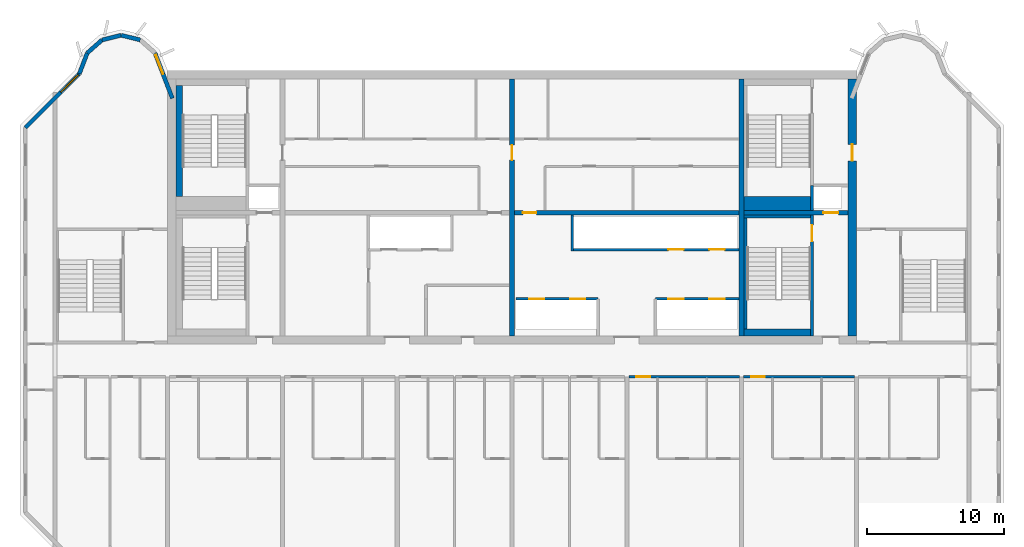
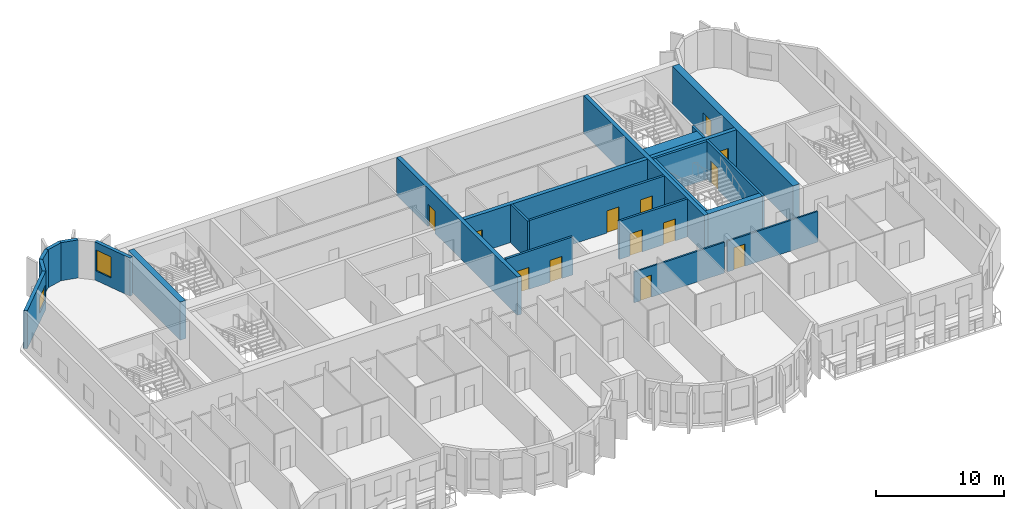
# One storey, part 6 of 11: 24 walls, 13 doors, 2 windows, 15 openings.
"""IFC4 building model written with IfcOpenShell, lengths in metres."""

from ifc_helpers import new_model, si_unit, direction, frame, frame_2d, origin, place, context, subcontext, project, spatial, rectangle, extrude, source, transform, mapped, material, layer, layer_set, type_object, element, fill, save


model = new_model("IFC4")

# Units and contexts
model_context = context("Model", 3, precision=1e-05, world=origin(), true_north=direction((0.0, 1.0)))
body_context = subcontext(model_context, "Body", "Model", "MODEL_VIEW")
ifc_project = project(units=[si_unit("LENGTHUNIT", "METRE"), si_unit("AREAUNIT", "SQUARE_METRE"), si_unit("VOLUMEUNIT", "CUBIC_METRE"), si_unit("PLANEANGLEUNIT", "RADIAN"), si_unit("MASSUNIT", "GRAM", prefix="KILO")], contexts=[model_context])

# Site, building, storey
site_placement = place(None, origin())
site = spatial("IfcSite", under=ifc_project, at=site_placement, CompositionType="ELEMENT")
building_placement = place(site_placement, origin())
building = spatial("IfcBuilding", under=site, at=building_placement, Name="Vanashikhar Sky Hotel", CompositionType="ELEMENT")
storey_placement = place(building_placement, frame((0.0, 0.0, 256.89990234375)))
storey = spatial("IfcBuildingStorey", under=building, at=storey_placement, Name="L62", CompositionType="ELEMENT", Elevation=256.89990234375)

# Wall, opening, door
ifc_material_1 = material(Name="Concrete M60", Category="concrete")
ifc_layer_1 = layer(ifc_material_1, 0.60009765625)
ifc_layer_set_1 = layer_set([ifc_layer_1], Name="RC core shell wall 600 Concrete M60")
wall_type_1 = type_object("IfcWallType", Name="RC core shell wall 600 Concrete M60", PredefinedType="SHEAR", material=ifc_layer_set_1)
shared_shape_1 = source(origin(), body_context, "Body", "SweptSolid", [
    extrude(rectangle(XDim=18.7998046875, YDim=0.60009765625, at=frame_2d((9.39990234375, 0.0))), origin(), (0.0, 0.0, 1.0), 3.6201171875),
])
wall_1_placement = place(storey_placement, frame((75.300048828125, 22.60009765625, 0.0), z_axis=(0.0, 0.0, 1.0), x_axis=(0.0, 1.0, 0.0)))
wall_1 = element("IfcWall", 1, at=wall_1_placement, inside=storey, type_object=wall_type_1, Name="KW-L62-KE", PredefinedType="SHEAR", context=body_context, shape_type="MappedRepresentation", body=[
    mapped(shared_shape_1, transform((0.0, 0.0, 0.0), scale=1.0)),
])
shared_shape_2 = source(origin(), body_context, "Body", "SweptSolid", [
    extrude(rectangle(XDim=1.199951171875, YDim=2.10009765625, at=frame_2d((0.60009765625, 1.050048828125))), frame((0.0, 0.31005859375, 0.0), z_axis=(0.0, -1.0, 0.0), x_axis=(1.0, 0.0, 0.0)), (0.0, 0.0, 1.0), 0.6201171875),
])
opening_1_placement = place(wall_1_placement, frame((12.800048828125, 0.0, 0.0)))
opening_1 = element("IfcOpeningElement", 2, at=opening_1_placement, cuts=wall_1, Name="Opening DC-4-D", PredefinedType="OPENING", context=body_context, shape_type="MappedRepresentation", body=[
    mapped(shared_shape_2, transform((0.0, 0.0, 0.0), scale=1.0)),
])
ifc_material_2 = material(Name="Steel", Category="steel")
door_type_1 = type_object("IfcDoorType", Name="Service door 1200 FD120", OperationType="NOTDEFINED", PredefinedType="DOOR", material=ifc_material_2)
shared_shape_3 = source(origin(), body_context, "Body", "SweptSolid", [
    extrude(rectangle(XDim=1.199951171875, YDim=2.10009765625, at=frame_2d((0.60009765625, 1.050048828125))), frame((0.0, 0.02490234375, 0.0), z_axis=(0.0, -1.0, 0.0), x_axis=(1.0, 0.0, 0.0)), (0.0, 0.0, 1.0), 0.050048828125),
])
door_1_placement = place(opening_1_placement, origin())
door_1 = element("IfcDoor", 3, at=door_1_placement, inside=storey, type_object=door_type_1, Name="Service door 1200 FD120", OperationType="SINGLE_SWING_LEFT", OverallHeight=2.10009765625, OverallWidth=1.199951171875, PredefinedType="DOOR", context=body_context, shape_type="MappedRepresentation", body=[
    mapped(shared_shape_3, transform((0.0, 0.0, 0.0), scale=1.0)),
])
fill(opening_1, door_1)

ifc_layer_2 = layer(ifc_material_1, 0.35009765625)
ifc_layer_set_2 = layer_set([ifc_layer_2], Name="RC core inner wall 350 Concrete M60")
wall_type_2 = type_object("IfcWallType", Name="RC core inner wall 350 Concrete M60", PredefinedType="SHEAR", material=ifc_layer_set_2)
shared_shape_4 = source(origin(), body_context, "Body", "SweptSolid", [
    extrude(rectangle(XDim=18.7998046875, YDim=0.35009765625, at=frame_2d((9.39990234375, 0.0))), origin(), (0.0, 0.0, 1.0), 3.6201171875),
])
wall_2_placement = place(storey_placement, frame((50.39990234375, 22.60009765625, 0.0), z_axis=(0.0, 0.0, 1.0), x_axis=(0.0, 1.0, 0.0)))
wall_2 = element("IfcWall", 4, at=wall_2_placement, inside=storey, type_object=wall_type_2, Name="KW-L62-KX2", PredefinedType="SHEAR", context=body_context, shape_type="MappedRepresentation", body=[
    mapped(shared_shape_4, transform((0.0, 0.0, 0.0), scale=1.0)),
])
shared_shape_5 = source(origin(), body_context, "Body", "SweptSolid", [
    extrude(rectangle(XDim=1.10009765625, YDim=2.10009765625, at=frame_2d((0.550048828125, 1.050048828125))), frame((0.0, 0.18505859375, 0.0), z_axis=(0.0, -1.0, 0.0), x_axis=(1.0, 0.0, 0.0)), (0.0, 0.0, 1.0), 0.3701171875),
])
opening_2_placement = place(wall_2_placement, frame((12.85009765625, 0.0, 0.0)))
opening_2 = element("IfcOpeningElement", 5, at=opening_2_placement, cuts=wall_2, Name="Opening DC-4-C", PredefinedType="OPENING", context=body_context, shape_type="MappedRepresentation", body=[
    mapped(shared_shape_5, transform((0.0, 0.0, 0.0), scale=1.0)),
])
door_type_2 = type_object("IfcDoorType", Name="Service door 1100 FD60", OperationType="NOTDEFINED", PredefinedType="DOOR", material=ifc_material_2)
shared_shape_6 = source(origin(), body_context, "Body", "SweptSolid", [
    extrude(rectangle(XDim=1.10009765625, YDim=2.10009765625, at=frame_2d((0.550048828125, 1.050048828125))), frame((0.0, 0.02490234375, 0.0), z_axis=(0.0, -1.0, 0.0), x_axis=(1.0, 0.0, 0.0)), (0.0, 0.0, 1.0), 0.050048828125),
])
door_2_placement = place(opening_2_placement, origin())
door_2 = element("IfcDoor", 6, at=door_2_placement, inside=storey, type_object=door_type_2, Name="Service door 1100 FD60", OperationType="SINGLE_SWING_RIGHT", OverallHeight=2.10009765625, OverallWidth=1.10009765625, PredefinedType="DOOR", context=body_context, shape_type="MappedRepresentation", body=[
    mapped(shared_shape_6, transform((0.0, 0.0, 0.0), scale=1.0)),
])
fill(opening_2, door_2)

# Wall
wall_3_placement = place(storey_placement, frame((67.199951171875, 22.60009765625, 0.0), z_axis=(0.0, 0.0, 1.0), x_axis=(0.0, 1.0, 0.0)))
element("IfcWall", 7, at=wall_3_placement, inside=storey, type_object=wall_type_2, Name="KW-L62-KX3", PredefinedType="SHEAR", context=body_context, shape_type="MappedRepresentation", body=[
    mapped(shared_shape_4, transform((0.0, 0.0, 0.0), scale=1.0)),
])

# Wall, opening, door
shared_shape_7 = source(origin(), body_context, "Body", "SweptSolid", [
    extrude(rectangle(XDim=7.625, YDim=0.35009765625, at=frame_2d((3.8125, 0.0))), origin(), (0.0, 0.0, 1.0), 3.6201171875),
])
wall_4_placement = place(storey_placement, frame((67.375, 31.60009765625, 0.0), z_axis=(0.0, 0.0, 1.0), x_axis=(1.0, 0.0, 0.0)))
wall_4 = element("IfcWall", 8, at=wall_4_placement, inside=storey, type_object=wall_type_2, Name="KW-L62-KY4", PredefinedType="SHEAR", context=body_context, shape_type="MappedRepresentation", body=[
    mapped(shared_shape_7, transform((0.0, 0.0, 0.0), scale=1.0)),
])
opening_3_placement = place(wall_4_placement, frame((5.800048828125, 0.0, 0.0)))
opening_3 = element("IfcOpeningElement", 9, at=opening_3_placement, cuts=wall_4, Name="Opening LD", PredefinedType="OPENING", context=body_context, shape_type="MappedRepresentation", body=[
    mapped(shared_shape_5, transform((0.0, 0.0, 0.0), scale=1.0)),
])
ifc_material_3 = material(Name="Stainless steel", Category="steel")
door_type_3 = type_object("IfcDoorType", Name="Lift landing door 1100", OperationType="NOTDEFINED", PredefinedType="DOOR", material=ifc_material_3)
door_3_placement = place(opening_3_placement, origin())
door_3 = element("IfcDoor", 10, at=door_3_placement, inside=storey, type_object=door_type_3, Name="Lift landing door 1100", OperationType="SLIDING_TO_RIGHT", OverallHeight=2.10009765625, OverallWidth=1.10009765625, PredefinedType="DOOR", context=body_context, shape_type="MappedRepresentation", body=[
    mapped(shared_shape_6, transform((0.0, 0.0, 0.0), scale=1.0)),
])
fill(opening_3, door_3)

shared_shape_8 = source(origin(), body_context, "Body", "SweptSolid", [
    extrude(rectangle(XDim=16.449951171875, YDim=0.35009765625, at=frame_2d((8.22509765625, 0.0))), origin(), (0.0, 0.0, 1.0), 3.6201171875),
])
wall_5_placement = place(storey_placement, frame((50.574951171875, 31.60009765625, 0.0), z_axis=(0.0, 0.0, 1.0), x_axis=(1.0, 0.0, 0.0)))
wall_5 = element("IfcWall", 11, at=wall_5_placement, inside=storey, type_object=wall_type_2, Name="KW-L62-KY3", PredefinedType="SHEAR", context=body_context, shape_type="MappedRepresentation", body=[
    mapped(shared_shape_8, transform((0.0, 0.0, 0.0), scale=1.0)),
])
shared_shape_9 = source(origin(), body_context, "Body", "SweptSolid", [
    extrude(rectangle(XDim=1.0, YDim=2.10009765625, at=frame_2d((0.5, 1.050048828125))), frame((0.0, 0.18505859375, 0.0), z_axis=(0.0, -1.0, 0.0), x_axis=(1.0, 0.0, 0.0)), (0.0, 0.0, 1.0), 0.3701171875),
])
opening_4_placement = place(wall_5_placement, frame((0.613037109375, 0.0, 0.0)))
opening_4 = element("IfcOpeningElement", 12, at=opening_4_placement, cuts=wall_5, Name="Opening DC-4", PredefinedType="OPENING", context=body_context, shape_type="MappedRepresentation", body=[
    mapped(shared_shape_9, transform((0.0, 0.0, 0.0), scale=1.0)),
])
door_type_4 = type_object("IfcDoorType", Name="Service door 1000 FD60", OperationType="NOTDEFINED", PredefinedType="DOOR", material=ifc_material_2)
shared_shape_10 = source(origin(), body_context, "Body", "SweptSolid", [
    extrude(rectangle(XDim=1.0, YDim=2.10009765625, at=frame_2d((0.5, 1.050048828125))), frame((0.0, 0.02490234375, 0.0), z_axis=(0.0, -1.0, 0.0), x_axis=(1.0, 0.0, 0.0)), (0.0, 0.0, 1.0), 0.050048828125),
])
door_4_placement = place(opening_4_placement, origin())
door_4 = element("IfcDoor", 13, at=door_4_placement, inside=storey, type_object=door_type_4, Name="Service door 1000 FD60", OperationType="SINGLE_SWING_RIGHT", OverallHeight=2.10009765625, OverallWidth=1.0, PredefinedType="DOOR", context=body_context, shape_type="MappedRepresentation", body=[
    mapped(shared_shape_10, transform((0.0, 0.0, 0.0), scale=1.0)),
])
fill(opening_4, door_4)

# Wall, opening, window
ifc_material_4 = material(Name="Concrete M50", Category="concrete")
ifc_layer_3 = layer(ifc_material_4, 0.300048828125)
ifc_layer_set_3 = layer_set([ifc_layer_3], Name="Lobe wall 300")
wall_type_3 = type_object("IfcWallType", Name="Lobe wall 300", PredefinedType="SOLIDWALL", material=ifc_layer_set_3)
shared_shape_11 = source(origin(), body_context, "Body", "SweptSolid", [
    extrude(rectangle(XDim=5.576416015625, YDim=0.300048828125, at=frame_2d((2.7880859375, 0.0))), origin(), (0.0, 0.0, 1.0), 3.6201171875),
])
wall_6_placement = place(storey_placement, frame((18.7431640625, 41.77734375, 0.0), z_axis=(0.0, 0.0, 1.0), x_axis=(-0.707106781187, -0.707106781187, 0.0)))
wall_6 = element("IfcWall", 14, at=wall_6_placement, inside=storey, type_object=wall_type_3, Name="Corner wall", PredefinedType="SOLIDWALL", context=body_context, shape_type="MappedRepresentation", body=[
    mapped(shared_shape_11, transform((0.0, 0.0, 0.0), scale=1.0)),
])
shared_shape_12 = source(origin(), body_context, "Body", "SweptSolid", [
    extrude(rectangle(XDim=1.800048828125, YDim=1.5, at=frame_2d((0.89990234375, 0.75))), frame((0.0, 0.16015625, 0.0), z_axis=(0.0, -1.0, 0.0), x_axis=(1.0, 0.0, 0.0)), (0.0, 0.0, 1.0), 0.320068359375),
])
opening_5_placement = place(wall_6_placement, frame((0.117919921875, 0.0, 0.89990234375)))
opening_5 = element("IfcOpeningElement", 15, at=opening_5_placement, cuts=wall_6, Name="Opening WN-4", PredefinedType="OPENING", context=body_context, shape_type="MappedRepresentation", body=[
    mapped(shared_shape_12, transform((0.0, 0.0, 0.0), scale=1.0)),
])
ifc_material_5 = material(Name="Glass", Category="glass")
window_type_1 = type_object("IfcWindowType", Name="Corner window 1800 x 1500", PartitioningType="SINGLE_PANEL", PredefinedType="WINDOW", material=ifc_material_5)
shared_shape_13 = source(origin(), body_context, "Body", "SweptSolid", [
    extrude(rectangle(XDim=1.800048828125, YDim=1.5, at=frame_2d((0.89990234375, 0.75))), frame((0.0, 0.030029296875, 0.0), z_axis=(0.0, -1.0, 0.0), x_axis=(1.0, 0.0, 0.0)), (0.0, 0.0, 1.0), 0.06005859375),
])
window_1_placement = place(opening_5_placement, origin())
window_1 = element("IfcWindow", 16, at=window_1_placement, inside=storey, type_object=window_type_1, Name="Window WN-4", OverallHeight=1.5, OverallWidth=1.800048828125, PartitioningType="SINGLE_PANEL", PredefinedType="WINDOW", context=body_context, shape_type="MappedRepresentation", body=[
    mapped(shared_shape_13, transform((0.0, 0.0, 0.0), scale=1.0)),
])
fill(opening_5, window_1)

# Walls
shared_shape_14 = source(origin(), body_context, "Body", "SweptSolid", [
    extrude(rectangle(XDim=1.6220703125, YDim=0.300048828125, at=frame_2d((0.81103515625, 0.0))), origin(), (0.0, 0.0, 1.0), 3.6201171875),
])
wall_7_placement = place(storey_placement, frame((19.323486328125, 43.2919921875, 0.0), z_axis=(0.0, 0.0, 1.0), x_axis=(-0.357778527068, -0.933806471154, 0.0)))
element("IfcWall", 17, at=wall_7_placement, inside=storey, type_object=wall_type_3, Name="Lobe wall", PredefinedType="SOLIDWALL", context=body_context, shape_type="MappedRepresentation", body=[
    mapped(shared_shape_14, transform((0.0, 0.0, 0.0), scale=1.0)),
])
shared_shape_15 = source(origin(), body_context, "Body", "SweptSolid", [
    extrude(rectangle(XDim=1.43994140625, YDim=0.300048828125, at=frame_2d((0.719970703125, 0.0))), origin(), (0.0, 0.0, 1.0), 3.6201171875),
])
wall_8_placement = place(storey_placement, frame((20.40283203125, 44.2451171875, 0.0), z_axis=(0.0, 0.0, 1.0), x_axis=(-0.74957555648, -0.661918790432, 0.0)))
element("IfcWall", 18, at=wall_8_placement, inside=storey, type_object=wall_type_3, Name="Lobe wall", PredefinedType="SOLIDWALL", context=body_context, shape_type="MappedRepresentation", body=[
    mapped(shared_shape_15, transform((0.0, 0.0, 0.0), scale=1.0)),
])
shared_shape_16 = source(origin(), body_context, "Body", "SweptSolid", [
    extrude(rectangle(XDim=1.438720703125, YDim=0.300048828125, at=frame_2d((0.71923828125, 0.0))), origin(), (0.0, 0.0, 1.0), 3.6201171875),
])
wall_9_placement = place(storey_placement, frame((21.800048828125, 44.588134765625, 0.0), z_axis=(0.0, 0.0, 1.0), x_axis=(-0.971161932466, -0.238420848351, 0.0)))
element("IfcWall", 19, at=wall_9_placement, inside=storey, type_object=wall_type_3, Name="Lobe wall", PredefinedType="SOLIDWALL", context=body_context, shape_type="MappedRepresentation", body=[
    mapped(shared_shape_16, transform((0.0, 0.0, 0.0), scale=1.0)),
])

# Wall, opening, window
shared_shape_17 = source(origin(), body_context, "Body", "SweptSolid", [
    extrude(rectangle(XDim=3.55908203125, YDim=0.300048828125, at=frame_2d((1.779541015625, 0.0))), origin(), (0.0, 0.0, 1.0), 3.6201171875),
])
wall_10_placement = place(storey_placement, frame((25.550048828125, 39.968505859375, 0.0), z_axis=(0.0, 0.0, 1.0), x_axis=(-0.35779745313, 0.933799219604, 0.0)))
wall_10 = element("IfcWall", 20, at=wall_10_placement, inside=storey, type_object=wall_type_3, Name="Lobe wall", PredefinedType="SOLIDWALL", context=body_context, shape_type="MappedRepresentation", body=[
    mapped(shared_shape_17, transform((0.0, 0.0, 0.0), scale=1.0)),
])
shared_shape_18 = source(origin(), body_context, "Body", "SweptSolid", [
    extrude(rectangle(XDim=1.5, YDim=2.0, at=frame_2d((0.75, 1.0))), frame((0.0, 0.16015625, 0.0), z_axis=(0.0, -1.0, 0.0), x_axis=(1.0, 0.0, 0.0)), (0.0, 0.0, 1.0), 0.320068359375),
])
opening_6_placement = place(wall_10_placement, frame((1.9033203125, 0.0, 0.89990234375)))
opening_6 = element("IfcOpeningElement", 21, at=opening_6_placement, cuts=wall_10, Name="Opening WN-2", PredefinedType="OPENING", context=body_context, shape_type="MappedRepresentation", body=[
    mapped(shared_shape_18, transform((0.0, 0.0, 0.0), scale=1.0)),
])
window_type_2 = type_object("IfcWindowType", Name="Lobe window 1500 x 2000", PartitioningType="SINGLE_PANEL", PredefinedType="WINDOW", material=ifc_material_5)
shared_shape_19 = source(origin(), body_context, "Body", "SweptSolid", [
    extrude(rectangle(XDim=1.5, YDim=2.0, at=frame_2d((0.75, 1.0))), frame((0.0, 0.030029296875, 0.0), z_axis=(0.0, -1.0, 0.0), x_axis=(1.0, 0.0, 0.0)), (0.0, 0.0, 1.0), 0.06005859375),
])
window_2_placement = place(opening_6_placement, origin())
window_2 = element("IfcWindow", 22, at=window_2_placement, inside=storey, type_object=window_type_2, Name="Window WN-2", OverallHeight=2.0, OverallWidth=1.5, PartitioningType="SINGLE_PANEL", PredefinedType="WINDOW", context=body_context, shape_type="MappedRepresentation", body=[
    mapped(shared_shape_19, transform((0.0, 0.0, 0.0), scale=1.0)),
])
fill(opening_6, window_2)

# Wall
shared_shape_20 = source(origin(), body_context, "Body", "SweptSolid", [
    extrude(rectangle(XDim=1.4384765625, YDim=0.300048828125, at=frame_2d((0.71923828125, 0.0))), origin(), (0.0, 0.0, 1.0), 3.6201171875),
])
wall_11_placement = place(storey_placement, frame((23.197021484375, 44.2451171875, 0.0), z_axis=(0.0, 0.0, 1.0), x_axis=(-0.971152283879, 0.238460146601, 0.0)))
element("IfcWall", 23, at=wall_11_placement, inside=storey, type_object=wall_type_3, Name="Lobe wall", PredefinedType="SOLIDWALL", context=body_context, shape_type="MappedRepresentation", body=[
    mapped(shared_shape_20, transform((0.0, 0.0, 0.0), scale=1.0)),
])

# Wall, openings, doors
ifc_material_6 = material(Name="Concrete M40", Category="concrete")
ifc_layer_4 = layer(ifc_material_6, 0.199951171875)
ifc_layer_set_4 = layer_set([ifc_layer_4], Name="Shaft wall 200")
wall_type_4 = type_object("IfcWallType", Name="Shaft wall 200", PredefinedType="SOLIDWALL", material=ifc_layer_set_4)
shared_shape_21 = source(origin(), body_context, "Body", "SweptSolid", [
    extrude(rectangle(XDim=6.0, YDim=0.199951171875, at=frame_2d((3.0, 0.0))), origin(), (0.0, 0.0, 1.0), 3.6201171875),
])
wall_12_placement = place(storey_placement, frame((56.699951171875, 25.300048828125, 0.0), z_axis=(0.0, 0.0, 1.0), x_axis=(-1.0, 0.0, 0.0)))
wall_12 = element("IfcWall", 24, at=wall_12_placement, inside=storey, type_object=wall_type_4, Name="Shaft wall 200", PredefinedType="SOLIDWALL", context=body_context, shape_type="MappedRepresentation", body=[
    mapped(shared_shape_21, transform((0.0, 0.0, 0.0), scale=1.0)),
])
shared_shape_22 = source(origin(), body_context, "Body", "SweptSolid", [
    extrude(rectangle(XDim=1.10009765625, YDim=2.10009765625, at=frame_2d((0.550048828125, 1.050048828125))), frame((0.0, 0.10986328125, 0.0), z_axis=(0.0, -1.0, 0.0), x_axis=(1.0, 0.0, 0.0)), (0.0, 0.0, 1.0), 0.219970703125),
])
opening_7_placement = place(wall_12_placement, frame((0.949951171875, 0.0, 0.0)))
opening_7 = element("IfcOpeningElement", 25, at=opening_7_placement, cuts=wall_12, Name="Opening LD", PredefinedType="OPENING", context=body_context, shape_type="MappedRepresentation", body=[
    mapped(shared_shape_22, transform((0.0, 0.0, 0.0), scale=1.0)),
])
opening_8_placement = place(wall_12_placement, frame((3.949951171875, 0.0, 0.0)))
opening_8 = element("IfcOpeningElement", 26, at=opening_8_placement, cuts=wall_12, Name="Opening LD", PredefinedType="OPENING", context=body_context, shape_type="MappedRepresentation", body=[
    mapped(shared_shape_22, transform((0.0, 0.0, 0.0), scale=1.0)),
])
door_5_placement = place(opening_7_placement, origin())
door_5 = element("IfcDoor", 27, at=door_5_placement, inside=storey, type_object=door_type_3, Name="Lift landing door 1100", OperationType="SLIDING_TO_RIGHT", OverallHeight=2.10009765625, OverallWidth=1.10009765625, PredefinedType="DOOR", context=body_context, shape_type="MappedRepresentation", body=[
    mapped(shared_shape_6, transform((0.0, 0.0, 0.0), scale=1.0)),
])
fill(opening_7, door_5)
door_6_placement = place(opening_8_placement, origin())
door_6 = element("IfcDoor", 28, at=door_6_placement, inside=storey, type_object=door_type_3, Name="Lift landing door 1100", OperationType="SLIDING_TO_LEFT", OverallHeight=2.10009765625, OverallWidth=1.10009765625, PredefinedType="DOOR", context=body_context, shape_type="MappedRepresentation", body=[
    mapped(shared_shape_6, transform((0.0, 0.0, 0.0), scale=1.0)),
])
fill(opening_8, door_6)

# Wall
shared_shape_23 = source(origin(), body_context, "Body", "SweptSolid", [
    extrude(rectangle(XDim=2.625, YDim=0.199951171875, at=frame_2d((1.3125, 0.0))), origin(), (0.0, 0.0, 1.0), 3.6201171875),
])
wall_13_placement = place(storey_placement, frame((54.800048828125, 28.800048828125, 0.0), z_axis=(0.0, 0.0, 1.0), x_axis=(0.0, 1.0, 0.0)))
element("IfcWall", 29, at=wall_13_placement, inside=storey, type_object=wall_type_4, Name="Shaft wall 200", PredefinedType="SOLIDWALL", context=body_context, shape_type="MappedRepresentation", body=[
    mapped(shared_shape_23, transform((0.0, 0.0, 0.0), scale=1.0)),
])

# Wall, openings, doors
shared_shape_24 = source(origin(), body_context, "Body", "SweptSolid", [
    extrude(rectangle(XDim=6.125, YDim=0.199951171875, at=frame_2d((3.0625, 0.0))), origin(), (0.0, 0.0, 1.0), 3.6201171875),
])
wall_14_placement = place(storey_placement, frame((67.02490234375, 25.300048828125, 0.0), z_axis=(0.0, 0.0, 1.0), x_axis=(-1.0, 0.0, 0.0)))
wall_14 = element("IfcWall", 30, at=wall_14_placement, inside=storey, type_object=wall_type_4, Name="Shaft wall 200", PredefinedType="SOLIDWALL", context=body_context, shape_type="MappedRepresentation", body=[
    mapped(shared_shape_24, transform((0.0, 0.0, 0.0), scale=1.0)),
])
opening_9_placement = place(wall_14_placement, frame((1.074951171875, 0.0, 0.0)))
opening_9 = element("IfcOpeningElement", 31, at=opening_9_placement, cuts=wall_14, Name="Opening LD", PredefinedType="OPENING", context=body_context, shape_type="MappedRepresentation", body=[
    mapped(shared_shape_22, transform((0.0, 0.0, 0.0), scale=1.0)),
])
opening_10_placement = place(wall_14_placement, frame((4.074951171875, 0.0, 0.0)))
opening_10 = element("IfcOpeningElement", 32, at=opening_10_placement, cuts=wall_14, Name="Opening LD", PredefinedType="OPENING", context=body_context, shape_type="MappedRepresentation", body=[
    mapped(shared_shape_22, transform((0.0, 0.0, 0.0), scale=1.0)),
])
door_7_placement = place(opening_9_placement, origin())
door_7 = element("IfcDoor", 33, at=door_7_placement, inside=storey, type_object=door_type_3, Name="Lift landing door 1100", OperationType="SLIDING_TO_RIGHT", OverallHeight=2.10009765625, OverallWidth=1.10009765625, PredefinedType="DOOR", context=body_context, shape_type="MappedRepresentation", body=[
    mapped(shared_shape_6, transform((0.0, 0.0, 0.0), scale=1.0)),
])
fill(opening_9, door_7)
door_8_placement = place(opening_10_placement, origin())
door_8 = element("IfcDoor", 34, at=door_8_placement, inside=storey, type_object=door_type_3, Name="Lift landing door 1100", OperationType="SLIDING_TO_LEFT", OverallHeight=2.10009765625, OverallWidth=1.10009765625, PredefinedType="DOOR", context=body_context, shape_type="MappedRepresentation", body=[
    mapped(shared_shape_6, transform((0.0, 0.0, 0.0), scale=1.0)),
])
fill(opening_10, door_8)

shared_shape_25 = source(origin(), body_context, "Body", "SweptSolid", [
    extrude(rectangle(XDim=12.125, YDim=0.199951171875, at=frame_2d((6.0625, 0.0))), origin(), (0.0, 0.0, 1.0), 3.6201171875),
])
wall_15_placement = place(storey_placement, frame((67.02490234375, 28.89990234375, 0.0), z_axis=(0.0, 0.0, 1.0), x_axis=(-1.0, 0.0, 0.0)))
wall_15 = element("IfcWall", 35, at=wall_15_placement, inside=storey, type_object=wall_type_4, Name="Shaft wall 200", PredefinedType="SOLIDWALL", context=body_context, shape_type="MappedRepresentation", body=[
    mapped(shared_shape_25, transform((0.0, 0.0, 0.0), scale=1.0)),
])
opening_11_placement = place(wall_15_placement, frame((1.074951171875, 0.0, 0.0)))
opening_11 = element("IfcOpeningElement", 36, at=opening_11_placement, cuts=wall_15, Name="Opening LD", PredefinedType="OPENING", context=body_context, shape_type="MappedRepresentation", body=[
    mapped(shared_shape_22, transform((0.0, 0.0, 0.0), scale=1.0)),
])
opening_12_placement = place(wall_15_placement, frame((4.074951171875, 0.0, 0.0)))
opening_12 = element("IfcOpeningElement", 37, at=opening_12_placement, cuts=wall_15, Name="Opening LD", PredefinedType="OPENING", context=body_context, shape_type="MappedRepresentation", body=[
    mapped(shared_shape_22, transform((0.0, 0.0, 0.0), scale=1.0)),
])
door_9_placement = place(opening_11_placement, origin())
door_9 = element("IfcDoor", 38, at=door_9_placement, inside=storey, type_object=door_type_3, Name="Lift landing door 1100", OperationType="SLIDING_TO_RIGHT", OverallHeight=2.10009765625, OverallWidth=1.10009765625, PredefinedType="DOOR", context=body_context, shape_type="MappedRepresentation", body=[
    mapped(shared_shape_6, transform((0.0, 0.0, 0.0), scale=1.0)),
])
fill(opening_11, door_9)
door_10_placement = place(opening_12_placement, origin())
door_10 = element("IfcDoor", 39, at=door_10_placement, inside=storey, type_object=door_type_3, Name="Lift landing door 1100", OperationType="SLIDING_TO_LEFT", OverallHeight=2.10009765625, OverallWidth=1.10009765625, PredefinedType="DOOR", context=body_context, shape_type="MappedRepresentation", body=[
    mapped(shared_shape_6, transform((0.0, 0.0, 0.0), scale=1.0)),
])
fill(opening_12, door_10)

# Wall, opening, door
ifc_layer_5 = layer(ifc_material_4, 0.199951171875)
ifc_layer_set_5 = layer_set([ifc_layer_5], Name="Stair wall 200")
wall_type_5 = type_object("IfcWallType", Name="Stair wall 200", PredefinedType="SOLIDWALL", material=ifc_layer_set_5)
shared_shape_26 = source(origin(), body_context, "Body", "SweptSolid", [
    extrude(rectangle(XDim=8.824951171875, YDim=0.199951171875, at=frame_2d((4.41259765625, 0.0))), origin(), (0.0, 0.0, 1.0), 3.6201171875),
])
wall_16_placement = place(storey_placement, frame((72.35009765625, 22.60009765625, 0.0), z_axis=(0.0, 0.0, 1.0), x_axis=(0.0, 1.0, 0.0)))
wall_16 = element("IfcWall", 40, at=wall_16_placement, inside=storey, type_object=wall_type_5, Name="Stair wall 200", PredefinedType="SOLIDWALL", context=body_context, shape_type="MappedRepresentation", body=[
    mapped(shared_shape_26, transform((0.0, 0.0, 0.0), scale=1.0)),
])
shared_shape_27 = source(origin(), body_context, "Body", "SweptSolid", [
    extrude(rectangle(XDim=1.199951171875, YDim=2.10009765625, at=frame_2d((0.60009765625, 1.050048828125))), frame((0.0, 0.10986328125, 0.0), z_axis=(0.0, -1.0, 0.0), x_axis=(1.0, 0.0, 0.0)), (0.0, 0.0, 1.0), 0.219970703125),
])
opening_13_placement = place(wall_16_placement, frame((6.89990234375, 0.0, 0.0)))
opening_13 = element("IfcOpeningElement", 41, at=opening_13_placement, cuts=wall_16, Name="Opening DC-1", PredefinedType="OPENING", context=body_context, shape_type="MappedRepresentation", body=[
    mapped(shared_shape_27, transform((0.0, 0.0, 0.0), scale=1.0)),
])
door_type_5 = type_object("IfcDoorType", Name="Stair door 1200 FD120", OperationType="NOTDEFINED", PredefinedType="DOOR", material=ifc_material_2)
door_11_placement = place(opening_13_placement, origin())
door_11 = element("IfcDoor", 42, at=door_11_placement, inside=storey, type_object=door_type_5, Name="Stair door 1200 FD120", OperationType="SINGLE_SWING_LEFT", OverallHeight=2.10009765625, OverallWidth=1.199951171875, PredefinedType="DOOR", context=body_context, shape_type="MappedRepresentation", body=[
    mapped(shared_shape_3, transform((0.0, 0.0, 0.0), scale=1.0)),
])
fill(opening_13, door_11)

# Walls
shared_shape_28 = source(origin(), body_context, "Body", "SweptSolid", [
    extrude(rectangle(XDim=1.8251953125, YDim=0.199951171875, at=frame_2d((0.91259765625, 0.0))), origin(), (0.0, 0.0, 1.0), 3.6201171875),
])
wall_17_placement = place(storey_placement, frame((72.35009765625, 31.77490234375, 0.0), z_axis=(0.0, 0.0, 1.0), x_axis=(0.0, 1.0, 0.0)))
element("IfcWall", 43, at=wall_17_placement, inside=storey, type_object=wall_type_4, Name="Shaft wall 200", PredefinedType="SOLIDWALL", context=body_context, shape_type="MappedRepresentation", body=[
    mapped(shared_shape_28, transform((0.0, 0.0, 0.0), scale=1.0)),
])
ifc_layer_6 = layer(ifc_material_4, 0.5)
ifc_layer_set_6 = layer_set([ifc_layer_6], Name="Stair infill wall 500")
wall_type_6 = type_object("IfcWallType", Name="Stair infill wall 500", PredefinedType="SOLIDWALL", material=ifc_layer_set_6)
shared_shape_29 = source(origin(), body_context, "Body", "SweptSolid", [
    extrude(rectangle(XDim=8.099853515625, YDim=0.5, at=frame_2d((4.0498046875, 0.0))), origin(), (0.0, 0.0, 1.0), 3.6201171875),
])
wall_18_placement = place(storey_placement, frame((26.050048828125, 32.800048828125, 0.0), z_axis=(0.0, 0.0, 1.0), x_axis=(0.0, 1.0, 0.0)))
element("IfcWall", 44, at=wall_18_placement, inside=storey, type_object=wall_type_6, Name="Stair infill wall 500", PredefinedType="SOLIDWALL", context=body_context, shape_type="MappedRepresentation", body=[
    mapped(shared_shape_29, transform((0.0, 0.0, 0.0), scale=1.0)),
])
shared_shape_30 = source(origin(), body_context, "Body", "SweptSolid", [
    extrude(rectangle(XDim=4.875, YDim=0.5, at=frame_2d((2.4375, 0.0))), origin(), (0.0, 0.0, 1.0), 3.6201171875),
])
wall_19_placement = place(storey_placement, frame((67.375, 22.85009765625, 0.0), z_axis=(0.0, 0.0, 1.0), x_axis=(1.0, 0.0, 0.0)))
element("IfcWall", 45, at=wall_19_placement, inside=storey, type_object=wall_type_6, Name="Stair infill wall 500", PredefinedType="SOLIDWALL", context=body_context, shape_type="MappedRepresentation", body=[
    mapped(shared_shape_30, transform((0.0, 0.0, 0.0), scale=1.0)),
])
ifc_layer_7 = layer(ifc_material_4, 0.22509765625)
ifc_layer_set_7 = layer_set([ifc_layer_7], Name="Stair infill wall 225")
wall_type_7 = type_object("IfcWallType", Name="Stair infill wall 225", PredefinedType="SOLIDWALL", material=ifc_layer_set_7)
shared_shape_31 = source(origin(), body_context, "Body", "SweptSolid", [
    extrude(rectangle(XDim=4.875, YDim=0.22509765625, at=frame_2d((2.4375, 0.0))), origin(), (0.0, 0.0, 1.0), 3.6201171875),
])
wall_20_placement = place(storey_placement, frame((67.375, 31.31201171875, 0.0), z_axis=(0.0, 0.0, 1.0), x_axis=(1.0, 0.0, 0.0)))
element("IfcWall", 46, at=wall_20_placement, inside=storey, type_object=wall_type_7, Name="Stair infill wall 225", PredefinedType="SOLIDWALL", context=body_context, shape_type="MappedRepresentation", body=[
    mapped(shared_shape_31, transform((0.0, 0.0, 0.0), scale=1.0)),
])
shared_shape_32 = source(origin(), body_context, "Body", "SweptSolid", [
    extrude(rectangle(XDim=8.099853515625, YDim=0.22509765625, at=frame_2d((4.0498046875, 0.0))), origin(), (0.0, 0.0, 1.0), 3.6201171875),
])
wall_21_placement = place(storey_placement, frame((67.487060546875, 23.10009765625, 0.0), z_axis=(0.0, 0.0, 1.0), x_axis=(0.0, 1.0, 0.0)))
element("IfcWall", 47, at=wall_21_placement, inside=storey, type_object=wall_type_7, Name="Stair infill wall 225", PredefinedType="SOLIDWALL", context=body_context, shape_type="MappedRepresentation", body=[
    mapped(shared_shape_32, transform((0.0, 0.0, 0.0), scale=1.0)),
])
ifc_layer_8 = layer(ifc_material_4, 1.02490234375)
ifc_layer_set_8 = layer_set([ifc_layer_8], Name="Stair infill wall 1025")
wall_type_8 = type_object("IfcWallType", Name="Stair infill wall 1025", PredefinedType="SOLIDWALL", material=ifc_layer_set_8)
shared_shape_33 = source(origin(), body_context, "Body", "SweptSolid", [
    extrude(rectangle(XDim=4.875, YDim=1.02490234375, at=frame_2d((2.4375, 0.0))), origin(), (0.0, 0.0, 1.0), 3.6201171875),
])
wall_22_placement = place(storey_placement, frame((67.375, 32.287109375, 0.0), z_axis=(0.0, 0.0, 1.0), x_axis=(1.0, 0.0, 0.0)))
element("IfcWall", 48, at=wall_22_placement, inside=storey, type_object=wall_type_8, Name="Stair infill wall 1025", PredefinedType="SOLIDWALL", context=body_context, shape_type="MappedRepresentation", body=[
    mapped(shared_shape_33, transform((0.0, 0.0, 0.0), scale=1.0)),
])

# Wall, opening, door
ifc_material_7 = material(Name="Gypsum plasterboard partition")
ifc_layer_9 = layer(ifc_material_7, 0.14990234375)
ifc_layer_set_9 = layer_set([ifc_layer_9], Name="Corridor and demising partition 150")
wall_type_9 = type_object("IfcWallType", Name="Corridor and demising partition 150", PredefinedType="PARTITIONING", material=ifc_layer_set_9)
shared_shape_34 = source(origin(), body_context, "Body", "SweptSolid", [
    extrude(rectangle(XDim=8.099853515625, YDim=0.14990234375, at=frame_2d((4.0498046875, 0.0))), origin(), (0.0, 0.0, 1.0), 2.920166015625),
])
wall_23_placement = place(storey_placement, frame((67.35009765625, 19.60009765625, 0.0), z_axis=(0.0, 0.0, 1.0), x_axis=(1.0, 0.0, 0.0)))
wall_23 = element("IfcWall", 49, at=wall_23_placement, inside=storey, type_object=wall_type_9, Name="W-L62-PW041", PredefinedType="PARTITIONING", context=body_context, shape_type="MappedRepresentation", body=[
    mapped(shared_shape_34, transform((0.0, 0.0, 0.0), scale=1.0)),
])
shared_shape_35 = source(origin(), body_context, "Body", "SweptSolid", [
    extrude(rectangle(XDim=1.0, YDim=2.10009765625, at=frame_2d((0.5, 1.050048828125))), frame((0.0, 0.0849609375, 0.0), z_axis=(0.0, -1.0, 0.0), x_axis=(1.0, 0.0, 0.0)), (0.0, 0.0, 1.0), 0.169921875),
])
opening_14_placement = place(wall_23_placement, frame((0.550048828125, 0.0, 0.0)))
opening_14 = element("IfcOpeningElement", 50, at=opening_14_placement, cuts=wall_23, Name="Opening D-01", PredefinedType="OPENING", context=body_context, shape_type="MappedRepresentation", body=[
    mapped(shared_shape_35, transform((0.0, 0.0, 0.0), scale=1.0)),
])
ifc_material_8 = material(Name="Timber fire door", Category="wood")
door_type_6 = type_object("IfcDoorType", Name="Guest entry door 1000 FD30S", OperationType="NOTDEFINED", PredefinedType="DOOR", material=ifc_material_8)
door_12_placement = place(opening_14_placement, origin())
door_12 = element("IfcDoor", 51, at=door_12_placement, inside=storey, type_object=door_type_6, Name="D-L62-024", OperationType="SINGLE_SWING_LEFT", OverallHeight=2.10009765625, OverallWidth=1.0, PredefinedType="DOOR", context=body_context, shape_type="MappedRepresentation", body=[
    mapped(shared_shape_10, transform((0.0, 0.0, 0.0), scale=1.0)),
])
fill(opening_14, door_12)

shared_shape_36 = source(origin(), body_context, "Body", "SweptSolid", [
    extrude(rectangle(XDim=8.10009765625, YDim=0.14990234375, at=frame_2d((4.050048828125, 0.0))), origin(), (0.0, 0.0, 1.0), 2.920166015625),
])
wall_24_placement = place(storey_placement, frame((58.949951171875, 19.60009765625, 0.0), z_axis=(0.0, 0.0, 1.0), x_axis=(1.0, 0.0, 0.0)))
wall_24 = element("IfcWall", 52, at=wall_24_placement, inside=storey, type_object=wall_type_9, Name="W-L62-PW036", PredefinedType="PARTITIONING", context=body_context, shape_type="MappedRepresentation", body=[
    mapped(shared_shape_36, transform((0.0, 0.0, 0.0), scale=1.0)),
])
opening_15_placement = place(wall_24_placement, frame((0.550048828125, 0.0, 0.0)))
opening_15 = element("IfcOpeningElement", 53, at=opening_15_placement, cuts=wall_24, Name="Opening D-01", PredefinedType="OPENING", context=body_context, shape_type="MappedRepresentation", body=[
    mapped(shared_shape_35, transform((0.0, 0.0, 0.0), scale=1.0)),
])
door_13_placement = place(opening_15_placement, origin())
door_13 = element("IfcDoor", 54, at=door_13_placement, inside=storey, type_object=door_type_6, Name="D-L62-021", OperationType="SINGLE_SWING_LEFT", OverallHeight=2.10009765625, OverallWidth=1.0, PredefinedType="DOOR", context=body_context, shape_type="MappedRepresentation", body=[
    mapped(shared_shape_10, transform((0.0, 0.0, 0.0), scale=1.0)),
])
fill(opening_15, door_13)

save(model, "model.ifc")
